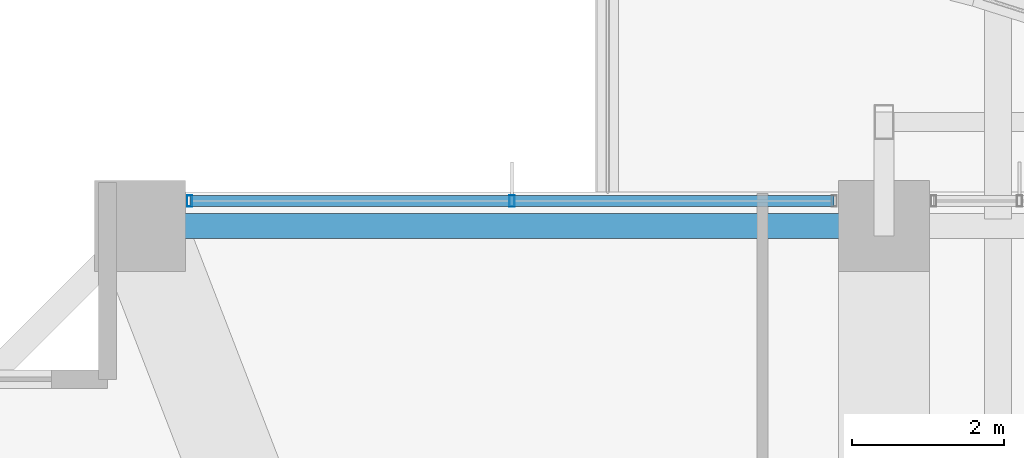
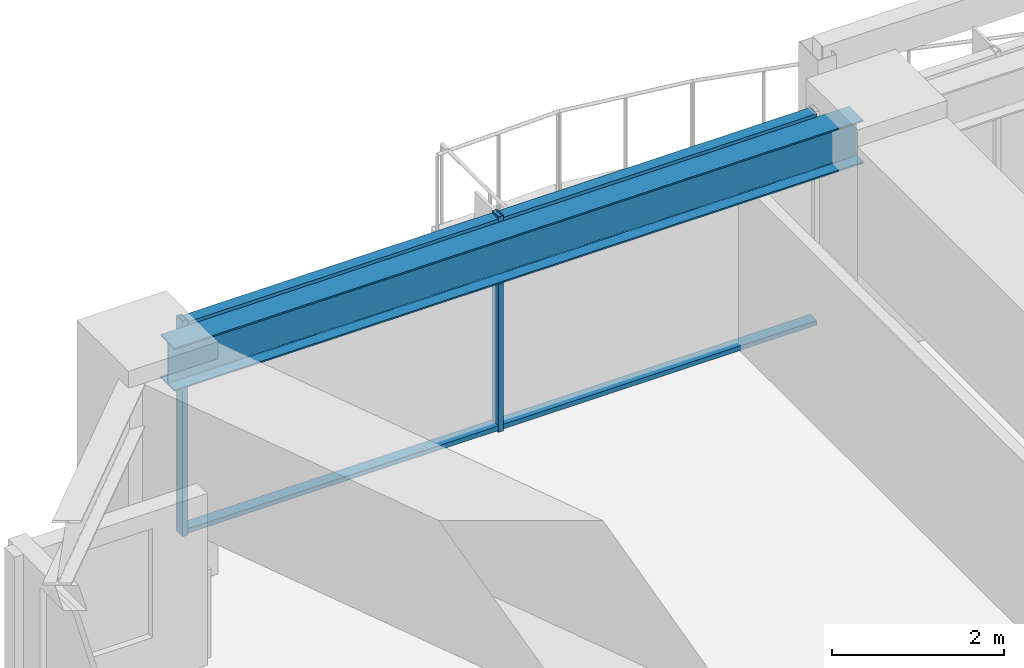
# One storey, part 18 of 37: 4 members, 1 beam, 1 element without a shape of its own.
"""IFC4 building model written with IfcOpenShell, lengths in metres."""

from ifc_helpers import new_model, si_unit, direction, frame, origin, origin_2d, place, context, subcontext, project, spatial, hollow_rectangle, i_section, extrude, material, material_profile, profile_set, type_object, element, aggregate, save


model = new_model("IFC4")

# Units and contexts
model_context = context("Model", 3, precision=1e-05, world=origin(), true_north=direction((0.0, 1.0)))
body_context = subcontext(model_context, "Body", "Model", "MODEL_VIEW")
ifc_project = project(units=[si_unit("LENGTHUNIT", "METRE"), si_unit("AREAUNIT", "SQUARE_METRE"), si_unit("VOLUMEUNIT", "CUBIC_METRE"), si_unit("PLANEANGLEUNIT", "RADIAN"), si_unit("MASSUNIT", "GRAM", prefix="KILO")], contexts=[model_context])

# Site, building, storey
site_placement = place(None, origin())
site = spatial("IfcSite", under=ifc_project, at=site_placement, CompositionType="ELEMENT")
building_placement = place(site_placement, origin())
building = spatial("IfcBuilding", under=site, at=building_placement, Name="Kolvaren Belvedere", CompositionType="ELEMENT")
storey_placement = place(building_placement, frame((0.0, 0.0, 56.800048828125)))
storey = spatial("IfcBuildingStorey", under=building, at=storey_placement, Name="L16", CompositionType="ELEMENT", Elevation=56.800048828125)

# Beam
ifc_material_1 = material(Name="Structural steel ASTM A992 Grade 50", Category="steel")
ifc_material_profile_1 = material_profile(ifc_material_1, i_section(OverallWidth=0.324951171875, OverallDepth=0.615966796875, WebThickness=0.013916015625, FlangeThickness=0.021484375, FilletRadius=0.02001953125, at=origin_2d()), Name="W24X117")
ifc_profile_set_1 = profile_set([ifc_material_profile_1], Name="Structural steel ASTM A992 Grade 50")
beam_type = type_object("IfcBeamType", Name="BM-SPAN-W24X117", PredefinedType="SPANDREL", material=ifc_profile_set_1)
beam_placement = place(storey_placement, frame((-4.8701171875, 21.550048828125, 2.751953125), z_axis=(-1.0, 0.0, 0.0), x_axis=(0.0, -1.0, 0.0)))
element("IfcBeam", 1, at=beam_placement, inside=storey, type_object=beam_type, Name="L16 Perimeter Spandrel N2-N1", PredefinedType="SPANDREL", context=body_context, shape_type="SweptSolid", body=[
    extrude(i_section(OverallWidth=0.324951171875, OverallDepth=0.615966796875, WebThickness=0.013916015625, FlangeThickness=0.021484375, FilletRadius=0.02001953125, at=origin_2d()), origin(), (0.0, 0.0, 1.0), 9.259765625),
])

# Curtain wall, members
ifc_material_2 = material(Name="Anodised pale-metal aluminium AA 6063-T6", Category="aluminium")
curtain_wall_type = type_object("IfcCurtainWallType", Name="CW-Z1-LOW", PredefinedType="NOTDEFINED", material=ifc_material_2)
curtain_wall_placement = place(storey_placement, origin())
curtain_wall = element("IfcCurtainWall", 2, at=curtain_wall_placement, inside=storey, type_object=curtain_wall_type, Name="L16 Unitised Curtain Wall FCW-L16-N1-B1", PredefinedType="NOTDEFINED")
ifc_material_3 = material(Name="Anodised pale-metal aluminium AA 6063-T6", Category="aluminium")
ifc_material_profile_2 = material_profile(ifc_material_3, hollow_rectangle(XDim=0.070068359375, YDim=0.14990234375, WallThickness=0.004150390625, at=origin_2d()), Name="ALU-MUL-150X70")
ifc_profile_set_2 = profile_set([ifc_material_profile_2], Name="Anodised pale-metal aluminium AA 6063-T6")
member_type_1 = type_object("IfcMemberType", Name="CW-MUL-150", PredefinedType="MULLION", material=ifc_profile_set_2)
member_1_placement = place(storey_placement, frame((-13.7451171875, 21.8798828125, 0.0), z_axis=(0.0, 0.0, 1.0), x_axis=(1.0, 0.0, 0.0)))
member_1 = element("IfcMember", 3, at=member_1_placement, type_object=member_type_1, Name="FCW-L16-N1-B1 Unitised Mullion 1", PredefinedType="MULLION", context=body_context, shape_type="SweptSolid", body=[
    extrude(hollow_rectangle(XDim=0.070068359375, YDim=0.14990234375, WallThickness=0.004150390625, at=origin_2d()), origin(), (0.0, 0.0, 1.0), 3.06005859375),
])
member_2_placement = place(storey_placement, frame((-9.5, 21.8798828125, 0.0), z_axis=(0.0, 0.0, 1.0), x_axis=(1.0, 0.0, 0.0)))
member_2 = element("IfcMember", 4, at=member_2_placement, type_object=member_type_1, Name="FCW-L16-N1-B1 Unitised Mullion 2", PredefinedType="MULLION", context=body_context, shape_type="SweptSolid", body=[
    extrude(hollow_rectangle(XDim=0.070068359375, YDim=0.14990234375, WallThickness=0.004150390625, at=origin_2d()), origin(), (0.0, 0.0, 1.0), 3.06005859375),
])
ifc_material_4 = material(Name="Anodised pale-metal aluminium AA 6063-T6", Category="aluminium")
ifc_material_profile_3 = material_profile(ifc_material_4, hollow_rectangle(XDim=0.06494140625, YDim=0.14990234375, WallThickness=0.00390625, at=origin_2d()), Name="ALU-TRN-150X65")
ifc_profile_set_3 = profile_set([ifc_material_profile_3], Name="Anodised pale-metal aluminium AA 6063-T6")
member_type_2 = type_object("IfcMemberType", Name="CW-TRN-150", PredefinedType="USERDEFINED", material=ifc_profile_set_3)
member_3_placement = place(storey_placement, frame((-13.7451171875, 21.8798828125, 0.06005859375), z_axis=(1.0, 0.0, 0.0), x_axis=(0.0, 0.0, 1.0)))
member_3 = element("IfcMember", 5, at=member_3_placement, type_object=member_type_2, Name="FCW-L16-N1-B1 Sill Transom", ObjectType="TRANSOM", PredefinedType="USERDEFINED", context=body_context, shape_type="SweptSolid", body=[
    extrude(hollow_rectangle(XDim=0.06494140625, YDim=0.14990234375, WallThickness=0.00390625, at=origin_2d()), origin(), (0.0, 0.0, 1.0), 8.490234375),
])
member_4_placement = place(storey_placement, frame((-13.7451171875, 21.8798828125, 3.0), z_axis=(1.0, 0.0, 0.0), x_axis=(0.0, 0.0, 1.0)))
member_4 = element("IfcMember", 6, at=member_4_placement, type_object=member_type_2, Name="FCW-L16-N1-B1 Head Transom", ObjectType="TRANSOM", PredefinedType="USERDEFINED", context=body_context, shape_type="SweptSolid", body=[
    extrude(hollow_rectangle(XDim=0.06494140625, YDim=0.14990234375, WallThickness=0.00390625, at=origin_2d()), origin(), (0.0, 0.0, 1.0), 8.490234375),
])
aggregate(curtain_wall, [member_1, member_2, member_3, member_4])

save(model, "model.ifc")
